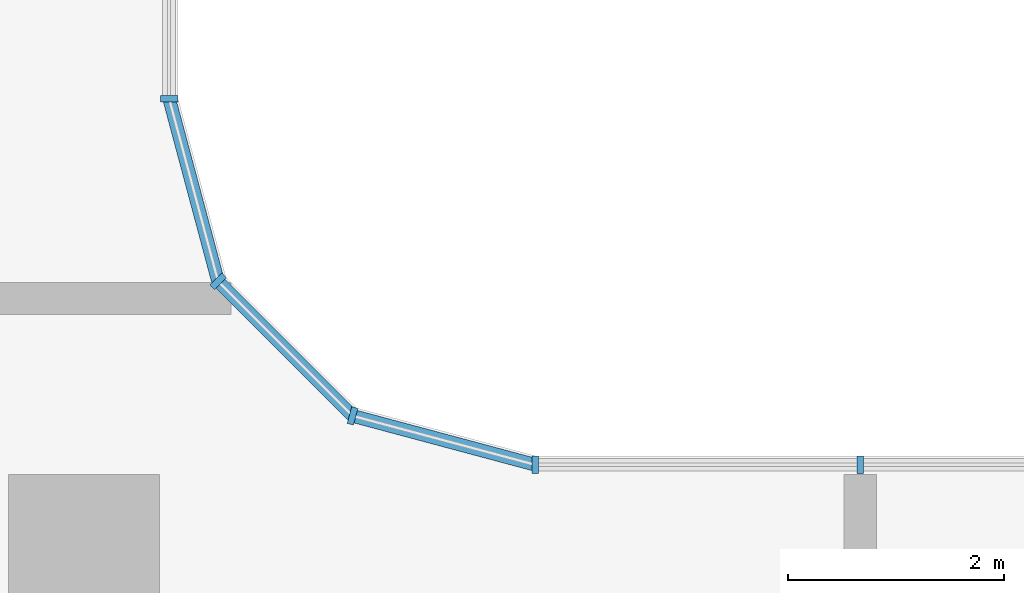
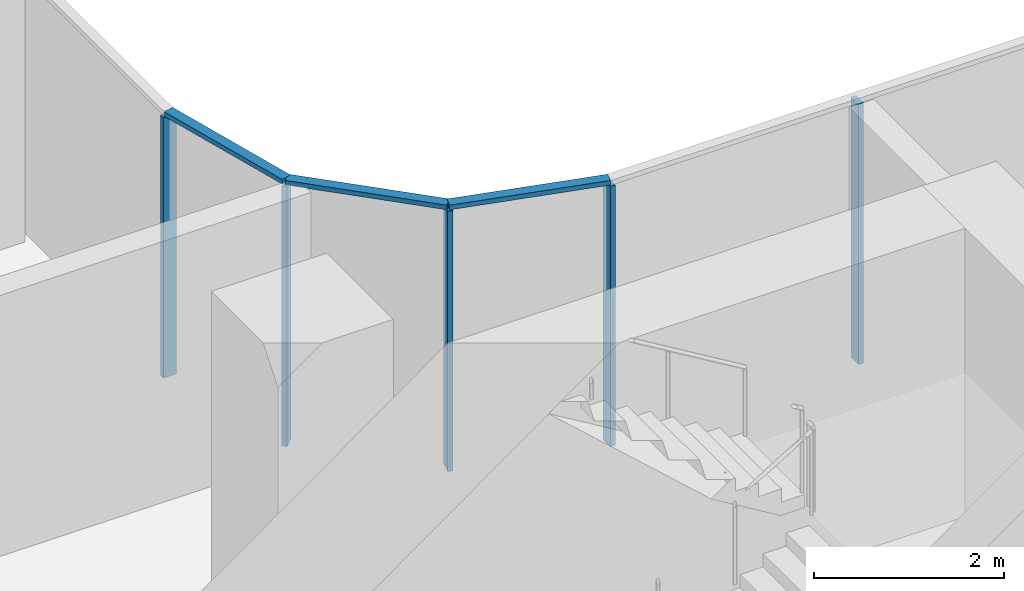
# One storey, part 2 of 34: 8 members, 3 elements without a shape of their own.
"""IFC4 building model written with IfcOpenShell, lengths in metres."""

from ifc_helpers import new_model, si_unit, direction, frame, origin, origin_2d, place, context, subcontext, project, spatial, rectangle, extrude, material, material_profile, profile_set, type_object, element, aggregate, save


model = new_model("IFC4")

# Units and contexts
model_context = context("Model", 3, precision=1e-05, world=origin(), true_north=direction((0.0, 1.0)))
body_context = subcontext(model_context, "Body", "Model", "MODEL_VIEW")
ifc_project = project(units=[si_unit("LENGTHUNIT", "METRE"), si_unit("AREAUNIT", "SQUARE_METRE"), si_unit("VOLUMEUNIT", "CUBIC_METRE"), si_unit("PLANEANGLEUNIT", "RADIAN"), si_unit("MASSUNIT", "GRAM", prefix="KILO")], contexts=[model_context])

# Site, building, storey
site_placement = place(None, origin())
site = spatial("IfcSite", under=ifc_project, at=site_placement, CompositionType="ELEMENT")
building_placement = place(site_placement, origin())
building = spatial("IfcBuilding", under=site, at=building_placement, Name="Ogive Portal Towers", CompositionType="ELEMENT")
storey_placement = place(building_placement, frame((0.0, 0.0, 66.800048828125)))
storey = spatial("IfcBuildingStorey", under=building, at=storey_placement, Name="L15", CompositionType="ELEMENT", Elevation=66.800048828125)

# Curtain wall, members
ifc_material_1 = material(Name="Glass, clear low-iron insulated glazing", Category="glass")
curtain_wall_type = type_object("IfcCurtainWallType", Name="CW FRONT RIBBON 4500", PredefinedType="NOTDEFINED", material=ifc_material_1)
curtain_wall_1_placement = place(storey_placement, origin())
curtain_wall_1 = element("IfcCurtainWall", 1, at=curtain_wall_1_placement, inside=storey, type_object=curtain_wall_type, Name="A:L15:f16:cw0", PredefinedType="NOTDEFINED")
ifc_material_2 = material(Name="Aluminium 6063 anodised", Category="aluminium")
ifc_material_profile_1 = material_profile(ifc_material_2, rectangle(XDim=0.159912109375, YDim=0.06005859375, at=origin_2d()), Name="AL 60x160")
ifc_profile_set_1 = profile_set([ifc_material_profile_1], Name="Aluminium 6063 anodised")
member_type_1 = type_object("IfcMemberType", Name="CW MULLION 60x160", PredefinedType="MULLION", material=ifc_profile_set_1)
member_1_placement = place(storey_placement, frame((58.5, 42.10009765625, 0.0), z_axis=(0.0, 0.0, 1.0), x_axis=(0.0, -1.0, 0.0)))
member_1 = element("IfcMember", 2, at=member_1_placement, type_object=member_type_1, Name="mullion", PredefinedType="MULLION", context=body_context, shape_type="SweptSolid", body=[
    extrude(rectangle(XDim=0.159912109375, YDim=0.06005859375, at=origin_2d()), origin(), (0.0, 0.0, 1.0), 3.33984375),
])
member_2_placement = place(storey_placement, frame((55.489501953125, 42.10009765625, 0.0), z_axis=(0.0, 0.0, 1.0), x_axis=(0.0, -1.0, 0.0)))
member_2 = element("IfcMember", 3, at=member_2_placement, type_object=member_type_1, Name="mullion", PredefinedType="MULLION", context=body_context, shape_type="SweptSolid", body=[
    extrude(rectangle(XDim=0.159912109375, YDim=0.06005859375, at=origin_2d()), origin(), (0.0, 0.0, 1.0), 3.33984375),
])
aggregate(curtain_wall_1, [member_1, member_2])

# Curtain wall, member
curtain_wall_2_placement = place(storey_placement, origin())
curtain_wall_2 = element("IfcCurtainWall", 4, at=curtain_wall_2_placement, inside=storey, type_object=curtain_wall_type, Name="A:L15:f20:cw0", PredefinedType="NOTDEFINED")
member_3_placement = place(storey_placement, frame((52.10009765625, 45.489501953125, 0.0), z_axis=(0.0, 0.0, 1.0), x_axis=(-1.0, 0.0, 0.0)))
member_3 = element("IfcMember", 5, at=member_3_placement, type_object=member_type_1, Name="mullion", PredefinedType="MULLION", context=body_context, shape_type="SweptSolid", body=[
    extrude(rectangle(XDim=0.159912109375, YDim=0.06005859375, at=origin_2d()), origin(), (0.0, 0.0, 1.0), 3.33984375),
])
aggregate(curtain_wall_2, [member_3])

# Curtain wall, members
curtain_wall_3_placement = place(storey_placement, origin())
curtain_wall_3 = element("IfcCurtainWall", 6, at=curtain_wall_3_placement, inside=storey, type_object=curtain_wall_type, Name="A:L15:f17:cwa", PredefinedType="NOTDEFINED")
member_4_placement = place(storey_placement, frame((53.798583984375, 42.552978515625, 0.0), z_axis=(0.0, 0.0, 1.0), x_axis=(-0.258819045103, -0.965925826289, 0.0)))
member_4 = element("IfcMember", 7, at=member_4_placement, type_object=member_type_1, Name="mullion", PredefinedType="MULLION", context=body_context, shape_type="SweptSolid", body=[
    extrude(rectangle(XDim=0.159912109375, YDim=0.06005859375, at=origin_2d()), origin(), (0.0, 0.0, 1.0), 3.33984375),
])
member_5_placement = place(storey_placement, frame((52.552978515625, 43.798583984375, 0.0), z_axis=(0.0, 0.0, 1.0), x_axis=(-0.707106781187, -0.707106781187, 0.0)))
member_5 = element("IfcMember", 8, at=member_5_placement, type_object=member_type_1, Name="mullion", PredefinedType="MULLION", context=body_context, shape_type="SweptSolid", body=[
    extrude(rectangle(XDim=0.159912109375, YDim=0.06005859375, at=origin_2d()), origin(), (0.0, 0.0, 1.0), 3.33984375),
])
ifc_material_profile_2 = material_profile(ifc_material_2, rectangle(XDim=0.1201171875, YDim=0.06005859375, at=origin_2d()), Name="AL 120x60")
ifc_profile_set_2 = profile_set([ifc_material_profile_2], Name="Aluminium 6063 anodised")
member_type_2 = type_object("IfcMemberType", Name="CW TRANSOM 60x120", PredefinedType="USERDEFINED", material=ifc_profile_set_2)
member_6_placement = place(storey_placement, frame((55.489501953125, 42.10009765625, 3.369873046875), z_axis=(-0.965954275614, 0.258712847425, 0.0), x_axis=(-0.258712847425, -0.965954275614, 0.0)))
member_6 = element("IfcMember", 9, at=member_6_placement, type_object=member_type_2, Name="transom", ObjectType="TRANSOM", PredefinedType="USERDEFINED", context=body_context, shape_type="SweptSolid", body=[
    extrude(rectangle(XDim=0.1201171875, YDim=0.06005859375, at=origin_2d()), origin(), (0.0, 0.0, 1.0), 1.75048828125),
])
member_7_placement = place(storey_placement, frame((53.798583984375, 42.552978515625, 3.369873046875), z_axis=(-0.707106781187, 0.707106781187, 0.0), x_axis=(-0.707106781187, -0.707106781187, 0.0)))
member_7 = element("IfcMember", 10, at=member_7_placement, type_object=member_type_2, Name="transom", ObjectType="TRANSOM", PredefinedType="USERDEFINED", context=body_context, shape_type="SweptSolid", body=[
    extrude(rectangle(XDim=0.1201171875, YDim=0.06005859375, at=origin_2d()), origin(), (0.0, 0.0, 1.0), 1.761474609375),
])
member_8_placement = place(storey_placement, frame((52.552978515625, 43.798583984375, 3.369873046875), z_axis=(-0.258712847425, 0.965954275614, 0.0), x_axis=(-0.965954275614, -0.258712847425, 0.0)))
member_8 = element("IfcMember", 11, at=member_8_placement, type_object=member_type_2, Name="transom", ObjectType="TRANSOM", PredefinedType="USERDEFINED", context=body_context, shape_type="SweptSolid", body=[
    extrude(rectangle(XDim=0.1201171875, YDim=0.06005859375, at=origin_2d()), origin(), (0.0, 0.0, 1.0), 1.75048828125),
])
aggregate(curtain_wall_3, [member_6, member_7, member_8, member_4, member_5])

save(model, "model.ifc")
